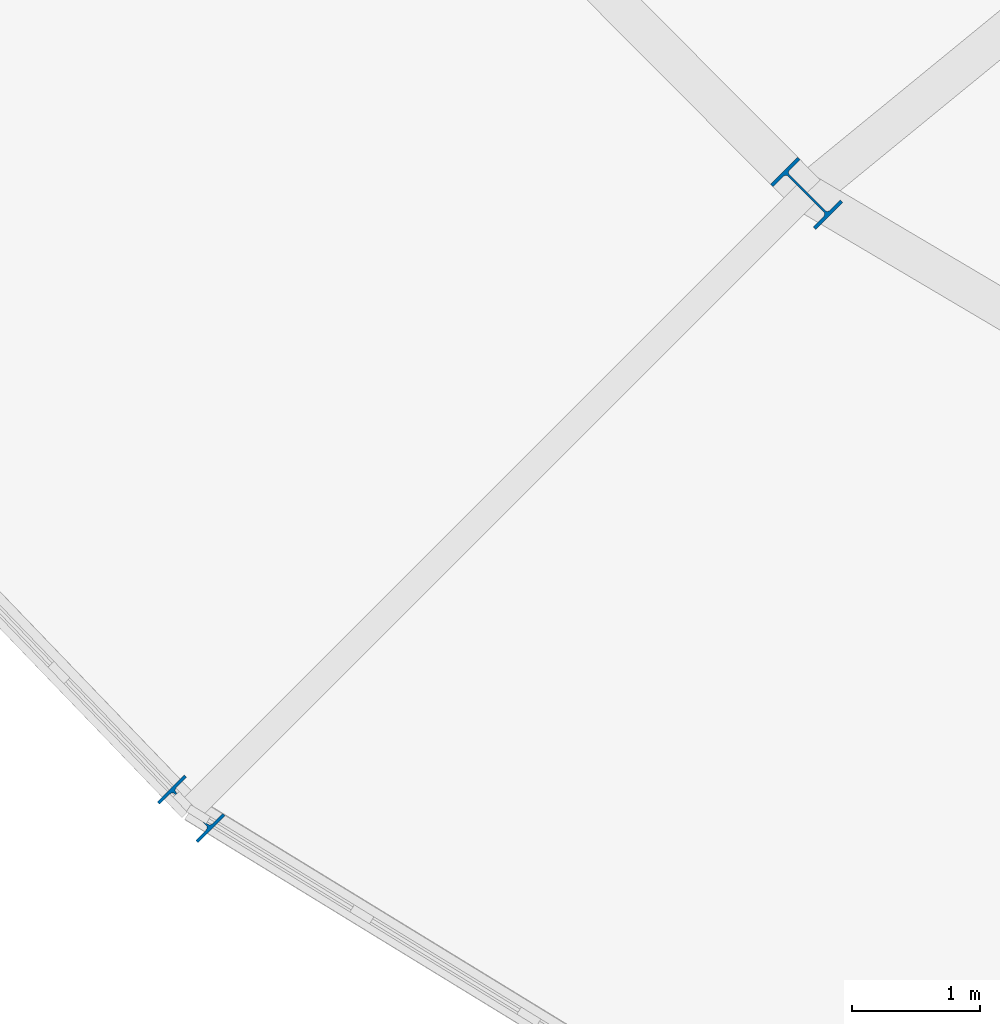
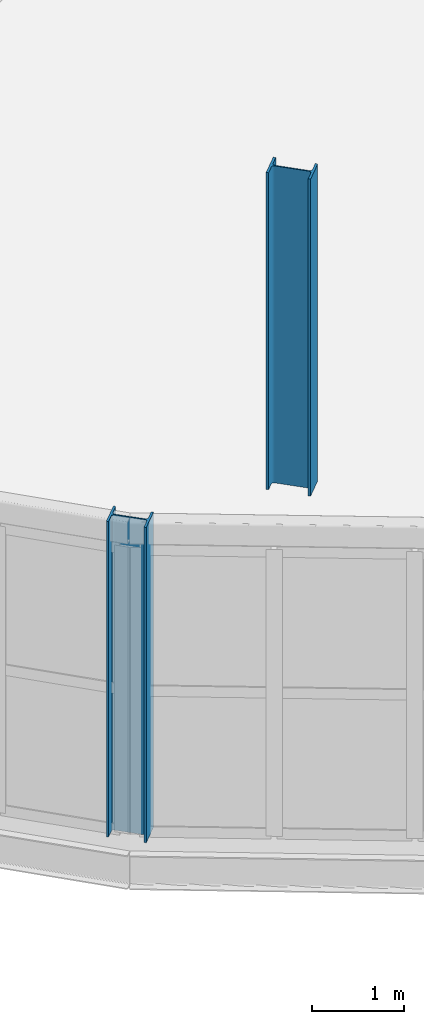
# One storey, part 4 of 161: 2 columns.
"""IFC4 building model written with IfcOpenShell, lengths in metres."""

from ifc_helpers import new_model, si_unit, direction, frame, origin, origin_2d, place, context, subcontext, project, spatial, i_section, extrude, material, material_profile, profile_set, type_object, element, save


model = new_model("IFC4")

# Units and contexts
model_context = context("Model", 3, precision=1e-05, world=origin(), true_north=direction((0.0, 1.0)))
body_context = subcontext(model_context, "Body", "Model", "MODEL_VIEW")
ifc_project = project(units=[si_unit("LENGTHUNIT", "METRE"), si_unit("AREAUNIT", "SQUARE_METRE"), si_unit("VOLUMEUNIT", "CUBIC_METRE"), si_unit("PLANEANGLEUNIT", "RADIAN"), si_unit("MASSUNIT", "GRAM", prefix="KILO")], contexts=[model_context])

# Site, building, storey
site_placement = place(None, origin())
site = spatial("IfcSite", under=ifc_project, at=site_placement, CompositionType="ELEMENT")
building_placement = place(site_placement, origin())
building = spatial("IfcBuilding", under=site, at=building_placement, Name="Kildeholm Park Wholesale Market", CompositionType="ELEMENT")
storey_placement = place(building_placement, frame((0.0, 0.0, 5.39990234375)))
storey = spatial("IfcBuildingStorey", under=building, at=storey_placement, Name="L01", CompositionType="ELEMENT", Elevation=5.39990234375)

# Columns
ifc_material = material(Name="Steel S355", Category="steel")
ifc_material_profile_1 = material_profile(ifc_material, i_section(OverallWidth=0.300048828125, OverallDepth=0.449951171875, WebThickness=0.013916015625, FlangeThickness=0.02587890625, FilletRadius=0.027099609375, at=origin_2d()), Name="HEB 450")
ifc_profile_set_1 = profile_set([ifc_material_profile_1], Name="Steel S355")
column_type_1 = type_object("IfcColumnType", Name="Column C-S06 HEB 450", PredefinedType="COLUMN", material=ifc_profile_set_1)
column_1_placement = place(storey_placement, frame((58.695068359375, 57.326904296875, 0.0), z_axis=(0.0, 0.0, 1.0), x_axis=(-0.707106781187, -0.707106781187, 0.0)))
element("IfcColumn", 1, at=column_1_placement, inside=storey, type_object=column_type_1, Name="Column V1-OT-15 L01 COL-0143", PredefinedType="COLUMN", context=body_context, shape_type="SweptSolid", body=[
    extrude(i_section(OverallWidth=0.300048828125, OverallDepth=0.449951171875, WebThickness=0.013916015625, FlangeThickness=0.02587890625, FilletRadius=0.027099609375, at=origin_2d()), origin(), (0.0, 0.0, 1.0), 4.18017578125),
])
ifc_material_profile_2 = material_profile(ifc_material, i_section(OverallWidth=0.300048828125, OverallDepth=0.5, WebThickness=0.014404296875, FlangeThickness=0.028076171875, FilletRadius=0.027099609375, at=origin_2d()), Name="HEB 500")
ifc_profile_set_2 = profile_set([ifc_material_profile_2], Name="Steel S355")
column_type_2 = type_object("IfcColumnType", Name="Column C-S07 HEB 500", PredefinedType="COLUMN", material=ifc_profile_set_2)
column_2_placement = place(storey_placement, frame((63.5029296875, 62.135009765625, 0.0), z_axis=(0.0, 0.0, 1.0), x_axis=(-0.707106781187, -0.707106781187, 0.0)))
element("IfcColumn", 2, at=column_2_placement, inside=storey, type_object=column_type_2, Name="Column V1-MD-15 L01 COL-0140", PredefinedType="COLUMN", context=body_context, shape_type="SweptSolid", body=[
    extrude(i_section(OverallWidth=0.300048828125, OverallDepth=0.5, WebThickness=0.014404296875, FlangeThickness=0.028076171875, FilletRadius=0.027099609375, at=origin_2d()), origin(), (0.0, 0.0, 1.0), 4.2001953125),
])

save(model, "model.ifc")
